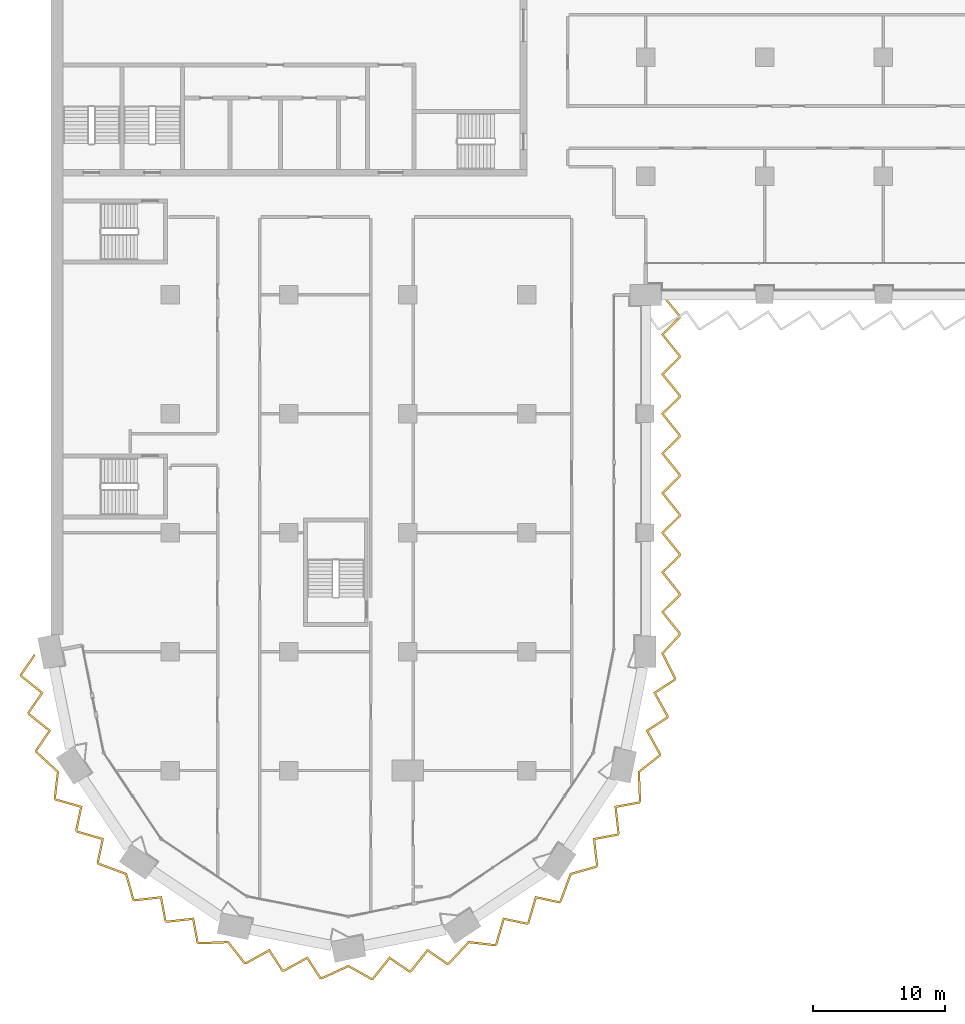
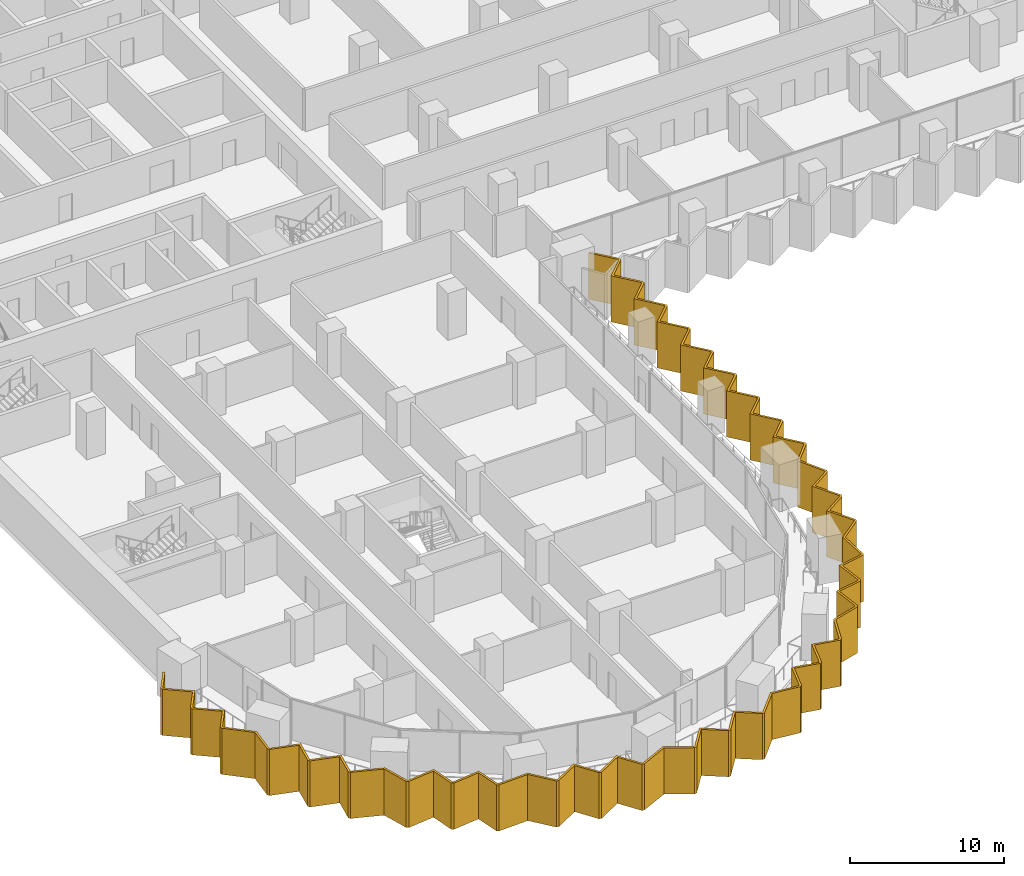
# One storey, part 23 of 28: 1 shading device.
"""IFC4 building model written with IfcOpenShell, lengths in metres."""

import ifcopenshell
import ifcopenshell.guid

model = None  # the IFC model being written
_history = None  # IfcOwnerHistory: only IFC2X3 demands one
_inside = {}  # id of a spatial element -> (the spatial element, [elements in it])
_under = {}  # id of a project, library or spatial element -> (it, [spatial elements below it])
_declared = {}  # id of a project -> (the project, [libraries it declares])
_typed = {}  # id of a type object -> (the type object, [elements of that type])
_made_of = {}  # id of a material, layer set ... -> (it, [elements and type objects made of it])


def new_model(schema):
    """Start an empty IFC model of exactly this schema.

    Asked for "IFC4X3", IfcOpenShell would pick the latest addendum, in which some entities
    have other attributes; the version numbers below select the first issue.
    IFC2X3 requires an IfcOwnerHistory on every rooted entity: one is made here for all.
    """
    global model, _history
    if schema == "IFC4X3":
        model = ifcopenshell.file(schema_version=(4, 3, 0, 0))
    else:
        model = ifcopenshell.file(schema=schema)
    _inside.clear()
    _under.clear()
    _declared.clear()
    _typed.clear()
    _made_of.clear()
    _history = None
    if model.schema == "IFC2X3":
        org = make("IfcOrganization", Name="unknown")
        user = make(
            "IfcPersonAndOrganization",
            ThePerson=make("IfcPerson", FamilyName="unknown"),
            TheOrganization=org,
        )
        app = make(
            "IfcApplication",
            ApplicationDeveloper=org,
            Version="unknown",
            ApplicationFullName="unknown",
            ApplicationIdentifier="unknown",
        )
        _history = make(
            "IfcOwnerHistory",
            OwningUser=user,
            OwningApplication=app,
            ChangeAction="ADDED",
            CreationDate=0,
        )
    return model


def make(cls, **values):
    """One entity of the class cls with the attributes given. An attribute that is None is left unset."""
    return model.create_entity(
        cls, **{name: value for name, value in values.items() if value is not None}
    )


def rooted(cls, **values):
    """An entity with a GlobalId (a new one), such as an element, a storey or a relation."""
    return make(cls, GlobalId=ifcopenshell.guid.new(), OwnerHistory=_history, **values)


def si_unit(unit_type, name, prefix=None):
    """IfcSIUnit, for example si_unit("LENGTHUNIT", "METRE", prefix="MILLI")."""
    return make("IfcSIUnit", UnitType=unit_type, Prefix=prefix, Name=name)


def assignment(units):
    """IfcUnitAssignment: the units of a project."""
    return None if units is None else make("IfcUnitAssignment", Units=units)


def point(xyz):
    """IfcCartesianPoint."""
    return None if xyz is None else make("IfcCartesianPoint", Coordinates=xyz)


def direction(xyz):
    """IfcDirection."""
    return None if xyz is None else make("IfcDirection", DirectionRatios=xyz)


def frame(location, z_axis=None, x_axis=None):
    """IfcAxis2Placement3D, a coordinate frame: its origin and axes. An axis left out is left unset."""
    return make(
        "IfcAxis2Placement3D",
        Location=point(location),
        Axis=direction(z_axis),
        RefDirection=direction(x_axis),
    )


def origin():
    """The frame at (0, 0, 0) with its axes left unset."""
    return frame((0.0, 0.0, 0.0))


def place(relative_to, where):
    """IfcLocalPlacement: puts the frame where relative to a parent placement (None: the world)."""
    return make(
        "IfcLocalPlacement", PlacementRelTo=relative_to, RelativePlacement=where
    )


def context(
    kind, dimensions, precision=None, world=None, true_north=None, identifier=None
):
    """IfcGeometricRepresentationContext, for example the 3D "Model" context."""
    return make(
        "IfcGeometricRepresentationContext",
        ContextIdentifier=identifier,
        ContextType=kind,
        CoordinateSpaceDimension=dimensions,
        Precision=precision,
        WorldCoordinateSystem=world,
        TrueNorth=true_north,
    )


def subcontext(parent, identifier, kind, view, scale=None):
    """IfcGeometricRepresentationSubContext, for example "Body" below "Model"."""
    return make(
        "IfcGeometricRepresentationSubContext",
        ContextIdentifier=identifier,
        ContextType=kind,
        ParentContext=parent,
        TargetScale=scale,
        TargetView=view,
    )


def project(units=None, contexts=None):
    """IfcProject with its units and contexts."""
    return rooted(
        "IfcProject",
        Name="project",
        RepresentationContexts=contexts,
        UnitsInContext=assignment(units),
    )


def spatial(cls, under=None, at=None, **own):
    """A site, building, storey or space (cls), placed at a placement, below another one or the project."""
    s = rooted(cls, ObjectPlacement=at, **own)
    if under is not None:
        _under.setdefault(under.id(), (under, []))[1].append(s)
    return s


def polyline(points):
    """IfcPolyline through the points."""
    return make("IfcPolyline", Points=[point(p) for p in points])


def outline(outer, holes=None, kind="AREA"):
    """IfcArbitraryClosedProfileDef: a profile drawn as a closed curve; with holes, ...WithVoids."""
    if holes is None:
        return make("IfcArbitraryClosedProfileDef", ProfileType=kind, OuterCurve=outer)
    return make(
        "IfcArbitraryProfileDefWithVoids",
        ProfileType=kind,
        OuterCurve=outer,
        InnerCurves=holes,
    )


def extrude(swept, where, along, depth):
    """IfcExtrudedAreaSolid: the profile swept, set in the frame where, extruded along a direction by depth."""
    return make(
        "IfcExtrudedAreaSolid",
        SweptArea=swept,
        Position=where,
        ExtrudedDirection=direction(along),
        Depth=depth,
    )


def shape(context_of_items, identifier, shape_type, items):
    """IfcShapeRepresentation: the items that make up one representation, for example the "Body"."""
    return make(
        "IfcShapeRepresentation",
        ContextOfItems=context_of_items,
        RepresentationIdentifier=identifier,
        RepresentationType=shape_type,
        Items=items,
    )


def material(Name=None, Category=None):
    """IfcMaterial."""
    return make("IfcMaterial", Name=Name, Category=Category)


def layer(
    of_material, thickness, ventilated=None, Name=None, Category=None, Priority=None
):
    """IfcMaterialLayer: one layer of a wall or slab, of a material (None: an air gap)."""
    return make(
        "IfcMaterialLayer",
        Material=of_material,
        LayerThickness=thickness,
        IsVentilated=ventilated,
        Name=Name,
        Category=Category,
        Priority=Priority,
    )


def layer_set(layers, Name=None):
    """IfcMaterialLayerSet."""
    return make("IfcMaterialLayerSet", MaterialLayers=layers, LayerSetName=Name)


def made_of(thing, what):
    """Note that an element or type object is made of a material, layer set ...; save() writes the relation."""
    if what is not None:
        _made_of.setdefault(what.id(), (what, []))[1].append(thing)
    return thing


def type_object(cls, material=None, **own):
    """A type object (cls), such as IfcWallType, which elements share."""
    return made_of(rooted(cls, **own), material)


def element(
    cls,
    number,
    at=None,
    inside=None,
    cuts=None,
    type_object=None,
    material=None,
    context=None,
    identifier="Body",
    shape_type=None,
    held_by="IfcProductDefinitionShape",
    body=None,
    shapes=None,
    **own,
):
    """One element of the class cls, such as IfcWall. Its Tag is "e" and its number.

    at: its placement. inside: the storey or other place that contains it. cuts: it is an
    opening in that element (IfcRelVoidsElement). A single representation is given by context,
    identifier, shape_type and body (its items); several are given by shapes. held_by: the class
    of the entity that holds the representations. save() writes the other relations.
    """
    e = rooted(cls, Tag="e%d" % number, ObjectPlacement=at, **own)
    if body is not None:
        shapes = [shape(context, identifier, shape_type, body)]
    if shapes is not None:
        e.Representation = make(held_by, Representations=shapes)
    if inside is not None:
        _inside.setdefault(inside.id(), (inside, []))[1].append(e)
    if cuts is not None:
        rooted(
            "IfcRelVoidsElement", RelatingBuildingElement=cuts, RelatedOpeningElement=e
        )
    if type_object is not None:
        _typed.setdefault(type_object.id(), (type_object, []))[1].append(e)
    return made_of(e, material)


def aggregate(whole, parts):
    """IfcRelAggregates: a whole, such as a stair, and the parts it consists of."""
    return rooted("IfcRelAggregates", RelatingObject=whole, RelatedObjects=parts)


def save(model, path):
    """Write the relations noted so far, then the file.

    IfcRelAggregates (storeys below a building ...), IfcRelContainedInSpatialStructure (elements
    in a storey), IfcRelDefinesByType, IfcRelAssociatesMaterial and IfcRelDeclares: one each for
    every whole, place, type object, material and project.
    """
    for whole, parts in _under.values():
        aggregate(whole, parts)
    for where, things in _inside.values():
        rooted(
            "IfcRelContainedInSpatialStructure",
            RelatedElements=things,
            RelatingStructure=where,
        )
    for kind, things in _typed.values():
        rooted("IfcRelDefinesByType", RelatedObjects=things, RelatingType=kind)
    for what, things in _made_of.values():
        rooted("IfcRelAssociatesMaterial", RelatedObjects=things, RelatingMaterial=what)
    for by, libraries in _declared.values():
        rooted("IfcRelDeclares", RelatingContext=by, RelatedDefinitions=libraries)
    model.write(path)


model = new_model("IFC4")

# Units and contexts
model_context = context("Model", 3, precision=1e-05, world=origin(), true_north=direction((0.0, 1.0)))
body_context = subcontext(model_context, "Body", "Model", "MODEL_VIEW")
ifc_project = project(units=[si_unit("LENGTHUNIT", "METRE"), si_unit("AREAUNIT", "SQUARE_METRE"), si_unit("VOLUMEUNIT", "CUBIC_METRE"), si_unit("PLANEANGLEUNIT", "RADIAN"), si_unit("MASSUNIT", "GRAM", prefix="KILO")], contexts=[model_context])

# Site, building, storey
site_placement = place(None, origin())
site = spatial("IfcSite", under=ifc_project, at=site_placement, CompositionType="ELEMENT")
building_placement = place(site_placement, origin())
building = spatial("IfcBuilding", under=site, at=building_placement, Name="Hunhe Ridgeline Campus", CompositionType="ELEMENT")
storey_placement = place(building_placement, frame((0.0, 0.0, 72.800048828125)))
storey = spatial("IfcBuildingStorey", under=building, at=storey_placement, Name="L17", CompositionType="ELEMENT", Elevation=72.800048828125)

# Shading device
ifc_material = material(Name="Concrete C50", Category="concrete")
ifc_layer = layer(ifc_material, 0.14990234375)
ifc_layer_set = layer_set([ifc_layer], Name="Sawtooth concrete fin 150 Concrete C50")
shading_device_type = type_object("IfcShadingDeviceType", Name="Sawtooth concrete fin 150 Concrete C50", PredefinedType="USERDEFINED", material=ifc_layer_set)
shading_device_placement = place(storey_placement, frame((0.0, 0.0, -0.949951171875)))
element("IfcShadingDevice", 1, at=shading_device_placement, inside=storey, type_object=shading_device_type, Name="Concrete fin screen 1", ObjectType="FIN", PredefinedType="USERDEFINED", context=body_context, shape_type="SweptSolid", body=[
    extrude(outline(polyline([(-1.188720703125, 26.708740234375), (-1.312255859375, 26.793701171875), (-2.35791015625, 25.270751953125), (-2.322998046875, 25.09521484375), (-0.781005859375, 23.865966796875), (-1.787109375, 22.400634765625), (-1.752197265625, 22.22509765625), (-0.2099609375, 20.995849609375), (-1.216064453125, 19.530517578125), (-1.181884765625, 19.358154296875), (0.4326171875, 17.863037109375), (0.1982421875, 15.886474609375), (0.29541015625, 15.740966796875), (2.1904296875, 15.1953125), (1.82177734375, 13.45654296875), (1.921142578125, 13.3076171875), (3.81640625, 12.76220703125), (3.447509765625, 11.0234375), (3.545166015625, 10.877197265625), (5.609130859375, 10.11376953125), (6.148681640625, 8.197998046875), (6.29443359375, 8.1005859375), (8.25390625, 8.32177734375), (8.57861328125, 6.57421875), (8.7275390625, 6.474853515625), (10.68701171875, 6.696044921875), (11.01171875, 4.948486328125), (11.158203125, 4.850830078125), (13.35693359375, 4.935302734375), (14.588623046875, 3.371826171875), (14.760498046875, 3.337646484375), (16.486083984375, 4.2919921875), (17.454833984375, 2.801513671875), (17.630615234375, 2.7666015625), (19.356201171875, 3.720947265625), (20.324951171875, 2.230712890625), (20.49755859375, 2.1962890625), (22.49658203125, 3.115966796875), (24.23291015625, 2.142822265625), (24.40478515625, 2.177001953125), (25.634033203125, 3.718994140625), (27.099365234375, 2.712890625), (27.27490234375, 2.747802734375), (28.504150390625, 4.2900390625), (29.969482421875, 3.283935546875), (30.141845703125, 3.318115234375), (31.636962890625, 4.9326171875), (33.613525390625, 4.6982421875), (33.759033203125, 4.79541015625), (34.3046875, 6.6904296875), (36.04345703125, 6.32177734375), (36.1923828125, 6.421142578125), (36.73779296875, 8.31640625), (38.4765625, 7.947509765625), (38.622802734375, 8.045166015625), (39.38623046875, 10.109130859375), (41.302001953125, 10.648681640625), (41.3994140625, 10.79443359375), (41.17822265625, 12.75390625), (42.92578125, 13.07861328125), (43.025146484375, 13.2275390625), (42.803955078125, 15.18701171875), (44.551513671875, 15.51171875), (44.649169921875, 15.658203125), (44.564697265625, 17.85693359375), (46.128173828125, 19.088623046875), (46.162353515625, 19.260498046875), (45.2080078125, 20.986083984375), (46.698486328125, 21.954833984375), (46.7333984375, 22.130615234375), (45.779052734375, 23.856201171875), (47.269287109375, 24.824951171875), (47.303955078125, 24.9990234375), (46.365478515625, 26.861572265625), (47.64990234375, 28.238037109375), (47.64990234375, 28.4140625), (46.376220703125, 29.993896484375), (47.64990234375, 31.23583984375), (47.64990234375, 31.4140625), (46.376220703125, 32.993896484375), (47.64990234375, 34.23583984375), (47.64990234375, 34.4140625), (46.376220703125, 35.993896484375), (47.64990234375, 37.23583984375), (47.64990234375, 37.4140625), (46.376220703125, 38.993896484375), (47.64990234375, 40.23583984375), (47.64990234375, 40.4140625), (46.376220703125, 41.993896484375), (47.64990234375, 43.23583984375), (47.64990234375, 43.4140625), (46.376220703125, 44.993896484375), (47.64990234375, 46.23583984375), (47.64990234375, 46.4140625), (46.376220703125, 47.993896484375), (47.64990234375, 49.23583984375), (47.64990234375, 49.4140625), (46.376220703125, 50.993896484375), (47.64990234375, 52.23583984375), (47.64990234375, 52.4140625), (46.33349609375, 54.047119140625), (46.216552734375, 53.952880859375), (47.5, 52.361083984375), (47.5, 52.299072265625), (46.173828125, 51.006103515625), (47.5, 49.361083984375), (47.5, 49.299072265625), (46.173828125, 48.006103515625), (47.5, 46.361083984375), (47.5, 46.299072265625), (46.173828125, 45.006103515625), (47.5, 43.361083984375), (47.5, 43.299072265625), (46.173828125, 42.006103515625), (47.5, 40.361083984375), (47.5, 40.299072265625), (46.173828125, 39.006103515625), (47.5, 37.361083984375), (47.5, 37.299072265625), (46.173828125, 36.006103515625), (47.5, 34.361083984375), (47.5, 34.299072265625), (46.173828125, 33.006103515625), (47.5, 31.361083984375), (47.5, 31.299072265625), (46.173828125, 30.006103515625), (47.5, 28.361083984375), (47.5, 28.297119140625), (46.1845703125, 26.887451171875), (47.146728515625, 24.977783203125), (47.134521484375, 24.916259765625), (45.580078125, 23.906005859375), (46.575439453125, 22.10595703125), (46.563720703125, 22.046142578125), (45.00927734375, 21.035888671875), (46.004638671875, 19.23583984375), (45.991943359375, 19.172119140625), (44.411865234375, 17.927490234375), (44.49755859375, 15.700927734375), (44.4619140625, 15.647705078125), (42.63916015625, 15.30908203125), (42.869873046875, 13.26513671875), (42.836181640625, 13.214599609375), (41.013427734375, 12.8759765625), (41.244140625, 10.83203125), (41.208251953125, 10.778076171875), (39.27197265625, 10.232666015625), (38.4990234375, 8.14306640625), (38.44580078125, 8.107421875), (36.63232421875, 8.491943359375), (36.063232421875, 6.515380859375), (36.0126953125, 6.481689453125), (34.19921875, 6.8662109375), (33.630126953125, 4.8896484375), (33.576171875, 4.853515625), (31.578857421875, 5.090576171875), (30.06494140625, 3.455810546875), (30.002197265625, 3.443359375), (28.473876953125, 4.49267578125), (27.19189453125, 2.88427734375), (27.132080078125, 2.872314453125), (25.603759765625, 3.921875), (24.32177734375, 2.3134765625), (24.258056640625, 2.30078125), (22.50341796875, 3.2841796875), (20.479248046875, 2.35302734375), (20.416259765625, 2.365478515625), (19.406005859375, 3.919921875), (17.60595703125, 2.924560546875), (17.546142578125, 2.936279296875), (16.535888671875, 4.49072265625), (14.73583984375, 3.495361328125), (14.672119140625, 3.508056640625), (13.427490234375, 5.088134765625), (11.200927734375, 5.00244140625), (11.147705078125, 5.0380859375), (10.80908203125, 6.86083984375), (8.76513671875, 6.630126953125), (8.714599609375, 6.663818359375), (8.3759765625, 8.486572265625), (6.33203125, 8.255859375), (6.278076171875, 8.291748046875), (5.732666015625, 10.22802734375), (3.64306640625, 11.0009765625), (3.607421875, 11.05419921875), (3.991943359375, 12.86767578125), (2.015380859375, 13.436767578125), (1.981689453125, 13.4873046875), (2.3662109375, 15.30078125), (0.3896484375, 15.869873046875), (0.353515625, 15.923828125), (0.590576171875, 17.921142578125), (-1.044189453125, 19.43505859375), (-1.056640625, 19.497802734375), (-0.00732421875, 21.026123046875), (-1.61572265625, 22.30810546875), (-1.627685546875, 22.367919921875), (-0.578125, 23.896240234375), (-2.1865234375, 25.17822265625), (-2.198486328125, 25.238037109375), (-1.188720703125, 26.708740234375)])), origin(), (0.0, 0.0, 1.0), 3.64990234375),
])

save(model, "model.ifc")
